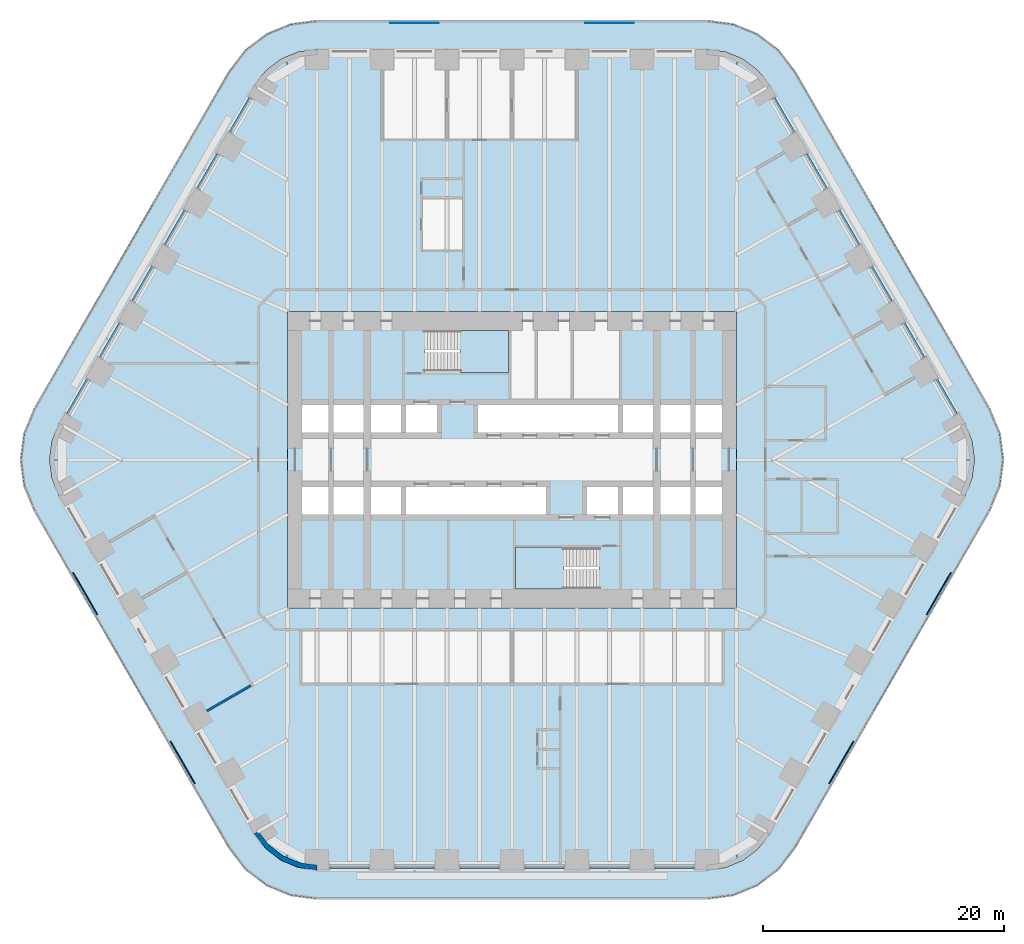
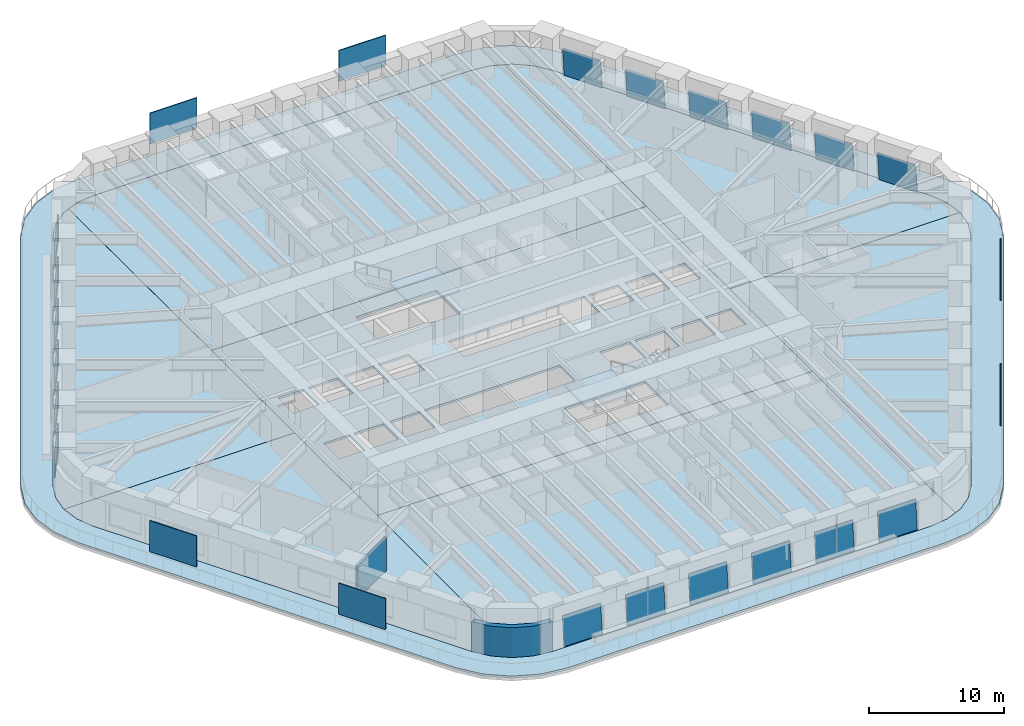
# One storey, part 15 of 24: 24 plates, 10 slabs, 2 walls, 20 elements without a shape of their own.
"""IFC4 building model written with IfcOpenShell, lengths in metres."""

from ifc_helpers import new_model, si_unit, direction, frame, frame_2d, origin, origin_2d, place, context, subcontext, project, spatial, polyline, rectangle, outline, extrude, material, layer, layer_set, type_object, element, aggregate, save


model = new_model("IFC4")

# Units and contexts
model_context = context("Model", 3, precision=1e-05, world=origin(), true_north=direction((0.0, 1.0)))
body_context = subcontext(model_context, "Body", "Model", "MODEL_VIEW")
ifc_project = project(units=[si_unit("LENGTHUNIT", "METRE"), si_unit("AREAUNIT", "SQUARE_METRE"), si_unit("VOLUMEUNIT", "CUBIC_METRE"), si_unit("PLANEANGLEUNIT", "RADIAN"), si_unit("MASSUNIT", "GRAM", prefix="KILO")], contexts=[model_context])

# Site, building, storey
site_placement = place(None, origin())
site = spatial("IfcSite", under=ifc_project, at=site_placement, CompositionType="ELEMENT")
building_placement = place(site_placement, origin())
building = spatial("IfcBuilding", under=site, at=building_placement, Name="Tarfa Lantern Tower", CompositionType="ELEMENT")
storey_placement = place(building_placement, frame((0.0, 0.0, 65.5)))
storey = spatial("IfcBuildingStorey", under=building, at=storey_placement, Name="L14", CompositionType="ELEMENT", Elevation=65.5)

# Slab
ifc_material_1 = material(Name="Concrete C40/50", Category="concrete")
ifc_layer_1 = layer(ifc_material_1, 0.199951171875)
ifc_layer_set_1 = layer_set([ifc_layer_1], Name="BS2 BALCONY SLAB 200")
slab_type_1 = type_object("IfcSlabType", Name="BS2 BALCONY SLAB 200", PredefinedType="FLOOR", material=ifc_layer_set_1)
slab_1_placement = place(storey_placement, frame((0.0, 0.0, -0.199951171875)))
element("IfcSlab", 1, at=slab_1_placement, inside=storey, type_object=slab_type_1, Name="Balcony L14", PredefinedType="FLOOR", context=body_context, shape_type="SweptSolid", body=[
    extrude(outline(polyline([(39.606201171875, 4.199951171875), (23.4404296875, 32.199951171875), (22.10546875, 33.939697265625), (20.36572265625, 35.274658203125), (18.33984375, 36.11376953125), (16.165771484375, 36.39990234375), (-16.165771484375, 36.39990234375), (-18.33984375, 36.11376953125), (-20.36572265625, 35.274658203125), (-22.10546875, 33.939697265625), (-23.4404296875, 32.199951171875), (-39.606201171875, 4.199951171875), (-40.4453125, 2.174072265625), (-40.731689453125, 0.0), (-40.4453125, -2.174072265625), (-39.606201171875, -4.199951171875), (-23.4404296875, -32.199951171875), (-22.10546875, -33.939697265625), (-20.36572265625, -35.274658203125), (-18.33984375, -36.11376953125), (-16.165771484375, -36.39990234375), (16.165771484375, -36.39990234375), (18.33984375, -36.11376953125), (20.36572265625, -35.274658203125), (22.10546875, -33.939697265625), (23.4404296875, -32.199951171875), (39.606201171875, -4.199951171875), (40.4453125, -2.174072265625), (40.731689453125, 0.0), (40.4453125, 2.174072265625), (39.606201171875, 4.199951171875)]), holes=[polyline([(37.52783203125, 3.0), (21.362060546875, 31.0), (20.408447265625, 32.24267578125), (19.165771484375, 33.196044921875), (17.71875, 33.795654296875), (16.165771484375, 34.0), (-16.165771484375, 34.0), (-17.71875, 33.795654296875), (-19.165771484375, 33.196044921875), (-20.408447265625, 32.24267578125), (-21.362060546875, 31.0), (-37.52783203125, 3.0), (-38.127197265625, 1.552978515625), (-38.33154296875, 0.0), (-38.127197265625, -1.552978515625), (-37.52783203125, -3.0), (-21.362060546875, -31.0), (-20.408447265625, -32.24267578125), (-19.165771484375, -33.196044921875), (-17.71875, -33.795654296875), (-16.165771484375, -34.0), (16.165771484375, -34.0), (17.71875, -33.795654296875), (19.165771484375, -33.196044921875), (20.408447265625, -32.24267578125), (21.362060546875, -31.0), (37.52783203125, -3.0), (38.127197265625, -1.552978515625), (38.33154296875, 0.0), (38.127197265625, 1.552978515625), (37.52783203125, 3.0)])]), origin(), (0.0, 0.0, 1.0), 0.199951171875),
])

# Curtain wall, plate
ifc_material_2 = material(Name="Aluminium framed curtain wall", Category="aluminium")
curtain_wall_type = type_object("IfcCurtainWallType", Name="CW1 CANTED GLAZING LOW ZONE 2700", PredefinedType="USERDEFINED", material=ifc_material_2)
curtain_wall_1_placement = place(storey_placement, origin())
curtain_wall_1 = element("IfcCurtainWall", 2, at=curtain_wall_1_placement, inside=storey, type_object=curtain_wall_type, Name="CW1 NE L14", ObjectType="CURTAIN WALL", PredefinedType="USERDEFINED")
ifc_material_3 = material(Name="Laminated double glazing", Category="glass")
ifc_layer_2 = layer(ifc_material_3, 0.028076171875)
ifc_layer_set_2 = layer_set([ifc_layer_2], Name="CWP1 DOUBLE GLAZED PANEL")
plate_type_1 = type_object("IfcPlateType", Name="CWP1 DOUBLE GLAZED PANEL", PredefinedType="CURTAIN_PANEL", material=ifc_layer_set_2)
plate_1_placement = place(storey_placement, frame((36.90869140625, 3.872314453125, 0.0), z_axis=(0.862338266797, 0.497864384763, 0.09221587717), x_axis=(-0.499995082658, 0.86602824279, 2.978908e-06)))
plate_1 = element("IfcPlate", 3, at=plate_1_placement, type_object=plate_type_1, Name="CW1 panel 1.1", PredefinedType="CURTAIN_PANEL", context=body_context, shape_type="SweptSolid", body=[
    extrude(outline(polyline([(0.0, 0.0), (3.258639560562134, 0.0), (3.2585208536427297, 2.646275738901332), (3.3621925729925773e-06, 2.646295235988971), (0.0, 0.0)])), origin(), (0.0, 0.0, -1.0), 0.028076171875),
])
aggregate(curtain_wall_1, [plate_1])

curtain_wall_2_placement = place(storey_placement, origin())
curtain_wall_2 = element("IfcCurtainWall", 4, at=curtain_wall_2_placement, inside=storey, type_object=curtain_wall_type, Name="CW1 NE L14", ObjectType="CURTAIN WALL", PredefinedType="USERDEFINED")
plate_2_placement = place(storey_placement, frame((34.21435546875, 8.5390625, 0.0), z_axis=(0.862325290636, 0.497894194109, 0.092176269198), x_axis=(-0.500022939057, 0.866012159509, 0.0)))
plate_2 = element("IfcPlate", 5, at=plate_2_placement, type_object=plate_type_1, Name="CW1 panel 1.1", PredefinedType="CURTAIN_PANEL", context=body_context, shape_type="SweptSolid", body=[
    extrude(outline(polyline([(0.0, 0.0), (3.2586395622623687, 0.0), (3.2585208519425555, 2.6462757409948594), (-0.0001187103198132533, 2.6462757409948594), (0.0, 0.0)])), origin(), (0.0, 0.0, -1.0), 0.028076171875),
])
aggregate(curtain_wall_2, [plate_2])

curtain_wall_3_placement = place(storey_placement, origin())
curtain_wall_3 = element("IfcCurtainWall", 6, at=curtain_wall_3_placement, inside=storey, type_object=curtain_wall_type, Name="CW1 NE L14", ObjectType="CURTAIN WALL", PredefinedType="USERDEFINED")
plate_3_placement = place(storey_placement, frame((31.52001953125, 13.20556640625, 0.0), z_axis=(0.862341934097, 0.49786650205, 0.092170140692), x_axis=(-0.499994605049, 0.866028518533, -2.977555e-06)))
plate_3 = element("IfcPlate", 7, at=plate_3_placement, type_object=plate_type_1, Name="CW1 panel 1.1", PredefinedType="CURTAIN_PANEL", context=body_context, shape_type="SweptSolid", body=[
    extrude(outline(polyline([(0.0, 0.0), (3.258517491508472, 2.7755575615628914e-17), (3.2587164564684317, 2.646283977845527), (7.689596458644864e-05, 2.6462644896978658), (0.0, 0.0)])), origin(), (0.0, 0.0, -1.0), 0.028076171875),
])
aggregate(curtain_wall_3, [plate_3])

curtain_wall_4_placement = place(storey_placement, origin())
curtain_wall_4 = element("IfcCurtainWall", 8, at=curtain_wall_4_placement, inside=storey, type_object=curtain_wall_type, Name="CW1 NE L14", ObjectType="CURTAIN WALL", PredefinedType="USERDEFINED")
plate_4_placement = place(storey_placement, frame((28.82568359375, 17.872314453125, 0.0), z_axis=(0.862338266797, 0.497864384763, 0.09221587717), x_axis=(-0.499994604812, 0.86602851867, -2.97902e-06)))
plate_4 = element("IfcPlate", 9, at=plate_4_placement, type_object=plate_type_1, Name="CW1 panel 1.1", PredefinedType="CURTAIN_PANEL", context=body_context, shape_type="SweptSolid", body=[
    extrude(outline(polyline([(0.0, 0.0), (3.2585174915084862, -2.7755575615628914e-17), (3.2585050197979823, 2.646295235961718), (-0.000134540705819584, 2.646275738143688), (0.0, 0.0)])), origin(), (0.0, 0.0, -1.0), 0.028076171875),
])
aggregate(curtain_wall_4, [plate_4])

curtain_wall_5_placement = place(storey_placement, origin())
curtain_wall_5 = element("IfcCurtainWall", 10, at=curtain_wall_5_placement, inside=storey, type_object=curtain_wall_type, Name="CW1 NE L14", ObjectType="CURTAIN WALL", PredefinedType="USERDEFINED")
plate_5_placement = place(storey_placement, frame((26.13134765625, 22.5390625, 0.0), z_axis=(0.862338266797, 0.497864384763, 0.09221587717), x_axis=(-0.499994604812, 0.86602851867, -2.97902e-06)))
plate_5 = element("IfcPlate", 11, at=plate_5_placement, type_object=plate_type_1, Name="CW1 panel 1.1", PredefinedType="CURTAIN_PANEL", context=body_context, shape_type="SweptSolid", body=[
    extrude(outline(polyline([(0.0, 0.0), (3.2585174915084862, -2.7755575615628914e-17), (3.2585050197979823, 2.646295235961718), (-0.000134540705819584, 2.646275738143688), (0.0, 0.0)])), origin(), (0.0, 0.0, -1.0), 0.028076171875),
])
aggregate(curtain_wall_5, [plate_5])

curtain_wall_6_placement = place(storey_placement, origin())
curtain_wall_6 = element("IfcCurtainWall", 12, at=curtain_wall_6_placement, inside=storey, type_object=curtain_wall_type, Name="CW1 NE L14", ObjectType="CURTAIN WALL", PredefinedType="USERDEFINED")
plate_6_placement = place(storey_placement, frame((23.437255859375, 27.20556640625, 0.0), z_axis=(0.862341934097, 0.49786650205, 0.092170140692), x_axis=(-0.499995082421, 0.866028242926, 2.977443e-06)))
plate_6 = element("IfcPlate", 13, at=plate_6_placement, type_object=plate_type_1, Name="CW1 panel 1.1", PredefinedType="CURTAIN_PANEL", context=body_context, shape_type="SweptSolid", body=[
    extrude(outline(polyline([(0.0, 0.0), (3.2586395605621195, -2.7755575615628914e-17), (3.2587322823927347, 2.64626448919067), (0.0002147909425344405, 2.6462839766083026), (0.0, 0.0)])), origin(), (0.0, 0.0, -1.0), 0.028076171875),
])
aggregate(curtain_wall_6, [plate_6])

curtain_wall_7_placement = place(storey_placement, origin())
curtain_wall_7 = element("IfcCurtainWall", 14, at=curtain_wall_7_placement, inside=storey, type_object=curtain_wall_type, Name="CW1 NW L14", ObjectType="CURTAIN WALL", PredefinedType="USERDEFINED")
plate_7_placement = place(storey_placement, frame((-21.807861328125, 30.027587890625, 0.0), z_axis=(-0.862341934097, 0.49786650205, 0.092170140692), x_axis=(-0.499995082421, -0.866028242926, -2.977443e-06)))
plate_7 = element("IfcPlate", 15, at=plate_7_placement, type_object=plate_type_1, Name="CW1 panel 1.1", PredefinedType="CURTAIN_PANEL", context=body_context, shape_type="SweptSolid", body=[
    extrude(outline(polyline([(0.0, 0.0), (3.2586395605621195, 2.7755575615628914e-17), (3.2584247696195847, 2.6462839766083026), (-9.272183061532521e-05, 2.64626448919067), (0.0, 0.0)])), origin(), (0.0, 0.0, -1.0), 0.028076171875),
])
aggregate(curtain_wall_7, [plate_7])

curtain_wall_8_placement = place(storey_placement, origin())
curtain_wall_8 = element("IfcCurtainWall", 16, at=curtain_wall_8_placement, inside=storey, type_object=curtain_wall_type, Name="CW1 NW L14", ObjectType="CURTAIN WALL", PredefinedType="USERDEFINED")
plate_8_placement = place(storey_placement, frame((-24.502197265625, 25.361083984375, 0.0), z_axis=(-0.862338266797, 0.497864384763, 0.09221587717), x_axis=(-0.499994604812, -0.86602851867, 2.97902e-06)))
plate_8 = element("IfcPlate", 17, at=plate_8_placement, type_object=plate_type_1, Name="CW1 panel 1.1", PredefinedType="CURTAIN_PANEL", context=body_context, shape_type="SweptSolid", body=[
    extrude(outline(polyline([(0.0, 0.0), (3.2585174915084862, 2.7755575615628914e-17), (3.2586520322143055, 2.646275738143688), (1.2471710504126e-05, 2.646295235961718), (0.0, 0.0)])), origin(), (0.0, 0.0, -1.0), 0.028076171875),
])
aggregate(curtain_wall_8, [plate_8])

curtain_wall_9_placement = place(storey_placement, origin())
curtain_wall_9 = element("IfcCurtainWall", 18, at=curtain_wall_9_placement, inside=storey, type_object=curtain_wall_type, Name="CW1 NW L14", ObjectType="CURTAIN WALL", PredefinedType="USERDEFINED")
plate_9_placement = place(storey_placement, frame((-27.196533203125, 20.6943359375, 0.0), z_axis=(-0.862338266797, 0.497864384763, 0.09221587717), x_axis=(-0.499994604812, -0.86602851867, 2.97902e-06)))
plate_9 = element("IfcPlate", 19, at=plate_9_placement, type_object=plate_type_1, Name="CW1 panel 1.1", PredefinedType="CURTAIN_PANEL", context=body_context, shape_type="SweptSolid", body=[
    extrude(outline(polyline([(0.0, 0.0), (3.2585174915084862, 2.7755575615628914e-17), (3.2586520322143055, 2.646275738143688), (1.2471710504126e-05, 2.646295235961718), (0.0, 0.0)])), origin(), (0.0, 0.0, -1.0), 0.028076171875),
])
aggregate(curtain_wall_9, [plate_9])

curtain_wall_10_placement = place(storey_placement, origin())
curtain_wall_10 = element("IfcCurtainWall", 20, at=curtain_wall_10_placement, inside=storey, type_object=curtain_wall_type, Name="CW1 NW L14", ObjectType="CURTAIN WALL", PredefinedType="USERDEFINED")
plate_10_placement = place(storey_placement, frame((-29.890869140625, 16.027587890625, 0.0), z_axis=(-0.862341934097, 0.49786650205, 0.092170140692), x_axis=(-0.499994605049, -0.866028518533, 2.977555e-06)))
plate_10 = element("IfcPlate", 21, at=plate_10_placement, type_object=plate_type_1, Name="CW1 panel 1.1", PredefinedType="CURTAIN_PANEL", context=body_context, shape_type="SweptSolid", body=[
    extrude(outline(polyline([(0.0, 0.0), (3.258517491508472, -2.7755575615628914e-17), (3.258440595543886, 2.6462644896978658), (-0.00019896495995976314, 2.646283977845527), (0.0, 0.0)])), origin(), (0.0, 0.0, -1.0), 0.028076171875),
])
aggregate(curtain_wall_10, [plate_10])

curtain_wall_11_placement = place(storey_placement, origin())
curtain_wall_11 = element("IfcCurtainWall", 22, at=curtain_wall_11_placement, inside=storey, type_object=curtain_wall_type, Name="CW1 NW L14", ObjectType="CURTAIN WALL", PredefinedType="USERDEFINED")
plate_11_placement = place(storey_placement, frame((-32.5849609375, 11.361083984375, 0.0), z_axis=(-0.862325290636, 0.497894194109, 0.092176269198), x_axis=(-0.500022939057, -0.866012159509, 0.0)))
plate_11 = element("IfcPlate", 23, at=plate_11_placement, type_object=plate_type_1, Name="CW1 panel 1.1", PredefinedType="CURTAIN_PANEL", context=body_context, shape_type="SweptSolid", body=[
    extrude(outline(polyline([(0.0, 0.0), (3.2586395622623687, 0.0), (3.258758272582182, 2.6462757409948594), (0.0001187103198132533, 2.6462757409948594), (0.0, 0.0)])), origin(), (0.0, 0.0, -1.0), 0.028076171875),
])
aggregate(curtain_wall_11, [plate_11])

curtain_wall_12_placement = place(storey_placement, origin())
curtain_wall_12 = element("IfcCurtainWall", 24, at=curtain_wall_12_placement, inside=storey, type_object=curtain_wall_type, Name="CW1 NW L14", ObjectType="CURTAIN WALL", PredefinedType="USERDEFINED")
plate_12_placement = place(storey_placement, frame((-35.279296875, 6.6943359375, 0.0), z_axis=(-0.862338266797, 0.497864384763, 0.09221587717), x_axis=(-0.499995082658, -0.86602824279, -2.978908e-06)))
plate_12 = element("IfcPlate", 25, at=plate_12_placement, type_object=plate_type_1, Name="CW1 panel 1.1", PredefinedType="CURTAIN_PANEL", context=body_context, shape_type="SweptSolid", body=[
    extrude(outline(polyline([(0.0, 0.0), (3.258639560562134, 0.0), (3.258636198369561, 2.646295235988971), (0.00011870691940396534, 2.646275738901332), (0.0, 0.0)])), origin(), (0.0, 0.0, -1.0), 0.028076171875),
])
aggregate(curtain_wall_12, [plate_12])

curtain_wall_13_placement = place(storey_placement, origin())
curtain_wall_13 = element("IfcCurtainWall", 26, at=curtain_wall_13_placement, inside=storey, type_object=curtain_wall_type, Name="CW1 S L14", ObjectType="CURTAIN WALL", PredefinedType="USERDEFINED")
plate_13_placement = place(storey_placement, frame((-15.100830078125, -33.89990234375, 0.0), z_axis=(0.0, -0.995743653657, 0.092166025202), x_axis=(1.0, 0.0, 0.0)))
plate_13 = element("IfcPlate", 27, at=plate_13_placement, type_object=plate_type_1, Name="CW1 panel 1.1", PredefinedType="CURTAIN_PANEL", context=body_context, shape_type="SweptSolid", body=[
    extrude(outline(polyline([(0.0, 0.0), (3.258544921875, 0.0), (3.258544921875, 2.6462732209712594), (0.0, 2.6462732209712594), (0.0, 0.0)])), origin(), (0.0, 0.0, -1.0), 0.028076171875),
])
aggregate(curtain_wall_13, [plate_13])

curtain_wall_14_placement = place(storey_placement, origin())
curtain_wall_14 = element("IfcCurtainWall", 28, at=curtain_wall_14_placement, inside=storey, type_object=curtain_wall_type, Name="CW1 S L14", ObjectType="CURTAIN WALL", PredefinedType="USERDEFINED")
plate_14_placement = place(storey_placement, frame((-9.712158203125, -33.89990234375, 0.0), z_axis=(0.0, -0.995743653657, 0.092166025202), x_axis=(1.0, 0.0, 0.0)))
plate_14 = element("IfcPlate", 29, at=plate_14_placement, type_object=plate_type_1, Name="CW1 panel 1.1", PredefinedType="CURTAIN_PANEL", context=body_context, shape_type="SweptSolid", body=[
    extrude(outline(polyline([(0.0, 0.0), (3.258544921875, 0.0), (3.258544921875, 2.6462732209712594), (0.0, 2.6462732209712594), (0.0, 0.0)])), origin(), (0.0, 0.0, -1.0), 0.028076171875),
])
aggregate(curtain_wall_14, [plate_14])

curtain_wall_15_placement = place(storey_placement, origin())
curtain_wall_15 = element("IfcCurtainWall", 30, at=curtain_wall_15_placement, inside=storey, type_object=curtain_wall_type, Name="CW1 S L14", ObjectType="CURTAIN WALL", PredefinedType="USERDEFINED")
plate_15_placement = place(storey_placement, frame((-4.323486328125, -33.89990234375, 0.0), z_axis=(0.0, -0.995743653657, 0.092166025202), x_axis=(1.0, 0.0, 0.0)))
plate_15 = element("IfcPlate", 31, at=plate_15_placement, type_object=plate_type_1, Name="CW1 panel 1.1", PredefinedType="CURTAIN_PANEL", context=body_context, shape_type="SweptSolid", body=[
    extrude(outline(polyline([(0.0, 0.0), (3.258544921875, 0.0), (3.258544921875, 2.6462732209712594), (0.0, 2.6462732209712594), (0.0, 0.0)])), origin(), (0.0, 0.0, -1.0), 0.028076171875),
])
aggregate(curtain_wall_15, [plate_15])

curtain_wall_16_placement = place(storey_placement, origin())
curtain_wall_16 = element("IfcCurtainWall", 32, at=curtain_wall_16_placement, inside=storey, type_object=curtain_wall_type, Name="CW1 S L14", ObjectType="CURTAIN WALL", PredefinedType="USERDEFINED")
plate_16_placement = place(storey_placement, frame((1.06494140625, -33.89990234375, 0.0), z_axis=(0.0, -0.995743653657, 0.092166025202), x_axis=(1.0, 0.0, 0.0)))
plate_16 = element("IfcPlate", 33, at=plate_16_placement, type_object=plate_type_1, Name="CW1 panel 1.1", PredefinedType="CURTAIN_PANEL", context=body_context, shape_type="SweptSolid", body=[
    extrude(outline(polyline([(0.0, 0.0), (3.258544921875, 0.0), (3.258544921875, 2.6462732209712594), (0.0, 2.6462732209712594), (0.0, 0.0)])), origin(), (0.0, 0.0, -1.0), 0.028076171875),
])
aggregate(curtain_wall_16, [plate_16])

curtain_wall_17_placement = place(storey_placement, origin())
curtain_wall_17 = element("IfcCurtainWall", 34, at=curtain_wall_17_placement, inside=storey, type_object=curtain_wall_type, Name="CW1 S L14", ObjectType="CURTAIN WALL", PredefinedType="USERDEFINED")
plate_17_placement = place(storey_placement, frame((6.45361328125, -33.89990234375, 0.0), z_axis=(0.0, -0.995743653657, 0.092166025202), x_axis=(1.0, 0.0, 0.0)))
plate_17 = element("IfcPlate", 35, at=plate_17_placement, type_object=plate_type_1, Name="CW1 panel 1.1", PredefinedType="CURTAIN_PANEL", context=body_context, shape_type="SweptSolid", body=[
    extrude(outline(polyline([(0.0, 0.0), (3.258544921875, 0.0), (3.258544921875, 2.6462732209712594), (0.0, 2.6462732209712594), (0.0, 0.0)])), origin(), (0.0, 0.0, -1.0), 0.028076171875),
])
aggregate(curtain_wall_17, [plate_17])

curtain_wall_18_placement = place(storey_placement, origin())
curtain_wall_18 = element("IfcCurtainWall", 36, at=curtain_wall_18_placement, inside=storey, type_object=curtain_wall_type, Name="CW1 S L14", ObjectType="CURTAIN WALL", PredefinedType="USERDEFINED")
plate_18_placement = place(storey_placement, frame((11.84228515625, -33.89990234375, 0.0), z_axis=(0.0, -0.995743653657, 0.092166025202), x_axis=(1.0, 0.0, 0.0)))
plate_18 = element("IfcPlate", 37, at=plate_18_placement, type_object=plate_type_1, Name="CW1 panel 1.1", PredefinedType="CURTAIN_PANEL", context=body_context, shape_type="SweptSolid", body=[
    extrude(outline(polyline([(0.0, 0.0), (3.258544921875, 0.0), (3.258544921875, 2.6462732209712594), (0.0, 2.6462732209712594), (0.0, 0.0)])), origin(), (0.0, 0.0, -1.0), 0.028076171875),
])
aggregate(curtain_wall_18, [plate_18])

# Slabs
ifc_layer_3 = layer(ifc_material_1, 0.199951171875)
ifc_layer_set_3 = layer_set([ifc_layer_3], Name="FS1 FLOOR SLAB 200")
slab_type_2 = type_object("IfcSlabType", Name="FS1 FLOOR SLAB 200", PredefinedType="FLOOR", material=ifc_layer_set_3)
slab_2_placement = place(storey_placement, frame((0.0, 0.0, -0.199951171875)))
element("IfcSlab", 38, at=slab_2_placement, inside=storey, type_object=slab_type_2, Name="Floor slab L14", PredefinedType="FLOOR", context=body_context, shape_type="SweptSolid", body=[
    extrude(outline(polyline([(-18.60009765625, -12.300048828125), (18.60009765625, -12.300048828125), (18.60009765625, 12.300048828125), (-18.60009765625, 12.300048828125), (-18.60009765625, -12.300048828125)]), holes=[polyline([(-17.39990234375, 2.25), (-15.199951171875, 2.25), (-15.199951171875, 4.550048828125), (-17.39990234375, 4.550048828125), (-17.39990234375, 2.25)]), polyline([(-14.800048828125, 2.25), (-12.300048828125, 2.25), (-12.300048828125, 4.550048828125), (-14.800048828125, 4.550048828125), (-14.800048828125, 2.25)]), polyline([(-11.699951171875, 2.25), (-9.199951171875, 2.25), (-9.199951171875, 4.550048828125), (-11.699951171875, 4.550048828125), (-11.699951171875, 2.25)]), polyline([(-8.800048828125, 2.25), (-6.199951171875, 2.25), (-6.199951171875, 4.550048828125), (-8.800048828125, 4.550048828125), (-8.800048828125, 2.25)]), polyline([(-2.800048828125, 2.25), (8.800048828125, 2.25), (8.800048828125, 4.550048828125), (-2.800048828125, 4.550048828125), (-2.800048828125, 2.25)]), polyline([(9.199951171875, 2.25), (11.699951171875, 2.25), (11.699951171875, 4.550048828125), (9.199951171875, 4.550048828125), (9.199951171875, 2.25)]), polyline([(12.300048828125, 2.25), (14.800048828125, 2.25), (14.800048828125, 4.550048828125), (12.300048828125, 4.550048828125), (12.300048828125, 2.25)]), polyline([(15.199951171875, 2.25), (17.39990234375, 2.25), (17.39990234375, 4.550048828125), (15.199951171875, 4.550048828125), (15.199951171875, 2.25)]), polyline([(17.39990234375, -2.25), (15.199951171875, -2.25), (15.199951171875, -4.550048828125), (17.39990234375, -4.550048828125), (17.39990234375, -2.25)]), polyline([(14.800048828125, -2.25), (12.300048828125, -2.25), (12.300048828125, -4.550048828125), (14.800048828125, -4.550048828125), (14.800048828125, -2.25)]), polyline([(11.699951171875, -2.25), (9.199951171875, -2.25), (9.199951171875, -4.550048828125), (11.699951171875, -4.550048828125), (11.699951171875, -2.25)]), polyline([(8.800048828125, -2.25), (6.199951171875, -2.25), (6.199951171875, -4.550048828125), (8.800048828125, -4.550048828125), (8.800048828125, -2.25)]), polyline([(2.800048828125, -2.25), (-8.800048828125, -2.25), (-8.800048828125, -4.550048828125), (2.800048828125, -4.550048828125), (2.800048828125, -2.25)]), polyline([(-9.199951171875, -2.25), (-11.699951171875, -2.25), (-11.699951171875, -4.550048828125), (-9.199951171875, -4.550048828125), (-9.199951171875, -2.25)]), polyline([(-12.300048828125, -2.25), (-14.800048828125, -2.25), (-14.800048828125, -4.550048828125), (-12.300048828125, -4.550048828125), (-12.300048828125, -2.25)]), polyline([(-15.199951171875, -2.25), (-17.39990234375, -2.25), (-17.39990234375, -4.550048828125), (-15.199951171875, -4.550048828125), (-15.199951171875, -2.25)]), polyline([(-7.199951171875, 7.25), (-0.300048828125, 7.25), (-0.300048828125, 10.699951171875), (-7.199951171875, 10.699951171875), (-7.199951171875, 7.25)]), polyline([(7.199951171875, -7.25), (0.300048828125, -7.25), (0.300048828125, -10.699951171875), (7.199951171875, -10.699951171875), (7.199951171875, -7.25)])]), origin(), (0.0, 0.0, 1.0), 0.199951171875),
])
slab_3_placement = place(storey_placement, frame((0.0, 0.0, -0.199951171875)))
element("IfcSlab", 39, at=slab_3_placement, inside=storey, type_object=slab_type_2, Name="Floor slab L14 NE bay", PredefinedType="FLOOR", context=body_context, shape_type="SweptSolid", body=[
    extrude(outline(polyline([(37.52587890625, 2.9990234375), (21.3603515625, 30.998779296875), (20.406982421875, 32.2412109375), (19.164794921875, 33.1943359375), (18.64697265625, 33.408935546875), (18.60205078125, 12.300048828125), (18.60205078125, 0.001953125), (38.329345703125, 0.001953125), (38.125244140625, 1.552490234375), (37.52587890625, 2.9990234375)])), origin(), (0.0, 0.0, 1.0), 0.199951171875),
])
slab_4_placement = place(storey_placement, frame((0.0, 0.0, -0.199951171875)))
element("IfcSlab", 40, at=slab_4_placement, inside=storey, type_object=slab_type_2, Name="Floor slab L14 N bay", PredefinedType="FLOOR", context=body_context, shape_type="SweptSolid", body=[
    extrude(outline(polyline([(-18.597900390625, 12.302001953125), (18.597900390625, 12.302001953125), (18.64306640625, 33.41064453125), (17.71826171875, 33.793701171875), (16.165771484375, 33.998046875), (-16.165771484375, 33.998046875), (-17.71826171875, 33.793701171875), (-18.64306640625, 33.41064453125), (-18.597900390625, 12.302001953125)])), origin(), (0.0, 0.0, 1.0), 0.199951171875),
])
slab_5_placement = place(storey_placement, frame((0.0, 0.0, -0.199951171875)))
element("IfcSlab", 41, at=slab_5_placement, inside=storey, type_object=slab_type_2, Name="Floor slab L14 NW bay", PredefinedType="FLOOR", context=body_context, shape_type="SweptSolid", body=[
    extrude(outline(polyline([(-18.60205078125, 0.001953125), (-18.60205078125, 12.300048828125), (-18.64697265625, 33.408935546875), (-19.164794921875, 33.1943359375), (-20.406982421875, 32.2412109375), (-21.3603515625, 30.998779296875), (-37.52587890625, 2.9990234375), (-38.125244140625, 1.552490234375), (-38.329345703125, 0.001953125), (-18.60205078125, 0.001953125)])), origin(), (0.0, 0.0, 1.0), 0.199951171875),
])
slab_6_placement = place(storey_placement, frame((0.0, 0.0, -0.199951171875)))
element("IfcSlab", 42, at=slab_6_placement, inside=storey, type_object=slab_type_2, Name="Floor slab L14 SW bay", PredefinedType="FLOOR", context=body_context, shape_type="SweptSolid", body=[
    extrude(outline(polyline([(-18.60205078125, -12.300048828125), (-18.60205078125, -0.001953125), (-38.329345703125, -0.001953125), (-38.125244140625, -1.552490234375), (-37.52587890625, -2.9990234375), (-21.3603515625, -30.998779296875), (-20.406982421875, -32.2412109375), (-19.164794921875, -33.1943359375), (-18.64697265625, -33.408935546875), (-18.60205078125, -12.300048828125)])), origin(), (0.0, 0.0, 1.0), 0.199951171875),
])
slab_7_placement = place(storey_placement, frame((0.0, 0.0, -0.199951171875)))
element("IfcSlab", 43, at=slab_7_placement, inside=storey, type_object=slab_type_2, Name="Floor slab L14 S bay", PredefinedType="FLOOR", context=body_context, shape_type="SweptSolid", body=[
    extrude(outline(polyline([(18.597900390625, -12.302001953125), (-18.597900390625, -12.302001953125), (-18.64306640625, -33.41064453125), (-17.71826171875, -33.793701171875), (-16.165771484375, -33.998046875), (16.165771484375, -33.998046875), (17.71826171875, -33.793701171875), (18.64306640625, -33.41064453125), (18.597900390625, -12.302001953125)])), origin(), (0.0, 0.0, 1.0), 0.199951171875),
])
slab_8_placement = place(storey_placement, frame((0.0, 0.0, -0.199951171875)))
element("IfcSlab", 44, at=slab_8_placement, inside=storey, type_object=slab_type_2, Name="Floor slab L14 SE bay", PredefinedType="FLOOR", context=body_context, shape_type="SweptSolid", body=[
    extrude(outline(polyline([(18.60205078125, -0.001953125), (18.60205078125, -12.300048828125), (18.64697265625, -33.408935546875), (19.164794921875, -33.1943359375), (20.406982421875, -32.2412109375), (21.3603515625, -30.998779296875), (37.52587890625, -2.9990234375), (38.125244140625, -1.552490234375), (38.329345703125, -0.001953125), (18.60205078125, -0.001953125)])), origin(), (0.0, 0.0, 1.0), 0.199951171875),
])

# Plates
ifc_material_4 = material(Name="Perforated limestone screen", Category="masonry")
ifc_layer_4 = layer(ifc_material_4, 0.080078125)
ifc_layer_set_4 = layer_set([ifc_layer_4], Name="SC1 STONE SCREEN 80")
plate_type_2 = type_object("IfcPlateType", Name="SC1 STONE SCREEN 80", PredefinedType="USERDEFINED", material=ifc_layer_set_4)
for number, where, z_axis, x_axis, name in (
    (45, (8.0830078125, 36.199951171875, 1.2001953125), (0.0, 0.0, 1.0), (-1.0, 0.0, 0.0), "Stone screen N 1"),
    (46, (-8.0830078125, 36.199951171875, 1.2001953125), (0.0, 0.0, 1.0), (-1.0, 0.0, 0.0), "Stone screen N 2"),
    (47, (-35.3916015625, -11.10009765625, 1.2001953125), (0.0, 0.0, 1.0), (0.5, -0.866025403784, 0.0), "Stone screen SW 1"),
    (48, (-27.30859375, -25.10009765625, 1.2001953125), (0.0, 0.0, 1.0), (0.5, -0.866025403784, 0.0), "Stone screen SW 2"),
    (49, (27.30859375, -25.10009765625, 1.2001953125), (0.0, 0.0, 1.0), (0.5, 0.866025403784, 0.0), "Stone screen SE 1"),
    (50, (35.3916015625, -11.10009765625, 1.2001953125), (0.0, 0.0, 1.0), (0.5, 0.866025403784, 0.0), "Stone screen SE 2"),
):
    element("IfcPlate", number, at=place(storey_placement, frame(where, z_axis=z_axis, x_axis=x_axis)), inside=storey, type_object=plate_type_2, Name=name, ObjectType="SCREEN", PredefinedType="USERDEFINED", context=body_context, shape_type="SweptSolid", body=[
        extrude(rectangle(XDim=4.0, YDim=0.080078125, at=origin_2d()), origin(), (0.0, 0.0, 1.0), 2.800048828125),
    ])

# Stair, slab
stair_type = type_object("IfcStairType", Name="ST-T10 HALF-TURN STAIR 4200 RISE", PredefinedType="HALF_TURN_STAIR", material=ifc_material_1)
stair_1_placement = place(storey_placement, origin())
stair_1 = element("IfcStair", 51, at=stair_1_placement, inside=storey, type_object=stair_type, Name="Stair ST1", PredefinedType="HALF_TURN_STAIR")
ifc_layer_5 = layer(ifc_material_1, 0.199951171875)
ifc_layer_set_5 = layer_set([ifc_layer_5], Name="SL1 STAIR LANDING 200")
slab_type_3 = type_object("IfcSlabType", Name="SL1 STAIR LANDING 200", PredefinedType="LANDING", material=ifc_layer_set_5)
slab_9_placement = place(storey_placement, frame((0.0, 0.0, 1.89990234375)))
slab_9 = element("IfcSlab", 52, at=slab_9_placement, type_object=slab_type_3, Name="ST1 landing 1", PredefinedType="LANDING", context=body_context, shape_type="SweptSolid", body=[
    extrude(outline(polyline([(-4.320068359375, 7.25), (-0.300048828125, 7.25), (-0.300048828125, 10.699951171875), (-4.320068359375, 10.699951171875), (-4.320068359375, 7.25)])), origin(), (0.0, 0.0, 1.0), 0.2001953125),
])
aggregate(stair_1, [slab_9])

stair_2_placement = place(storey_placement, origin())
stair_2 = element("IfcStair", 53, at=stair_2_placement, inside=storey, type_object=stair_type, Name="Stair ST2", PredefinedType="HALF_TURN_STAIR")
slab_10_placement = place(storey_placement, frame((0.0, 0.0, 1.89990234375)))
slab_10 = element("IfcSlab", 54, at=slab_10_placement, type_object=slab_type_3, Name="ST2 landing 1", PredefinedType="LANDING", context=body_context, shape_type="SweptSolid", body=[
    extrude(outline(polyline([(4.320068359375, -7.25), (0.300048828125, -7.25), (0.300048828125, -10.699951171875), (4.320068359375, -10.699951171875), (4.320068359375, -7.25)])), origin(), (0.0, 0.0, 1.0), 0.2001953125),
])
aggregate(stair_2, [slab_10])

# Walls
ifc_material_5 = material(Name="Limestone cladding on blockwork", Category="masonry")
ifc_layer_6 = layer(ifc_material_5, 0.39990234375)
ifc_layer_set_6 = layer_set([ifc_layer_6], Name="EW2 CURVED STONE CORNER 400")
wall_type_1 = type_object("IfcWallType", Name="EW2 CURVED STONE CORNER 400", PredefinedType="SOLIDWALL", material=ifc_layer_set_6)
wall_1_placement = place(storey_placement, origin())
element("IfcWall", 55, at=wall_1_placement, inside=storey, type_object=wall_type_1, Name="Stone corner SW-S", PredefinedType="SOLIDWALL", context=body_context, shape_type="SweptSolid", body=[
    extrude(outline(polyline([(-21.362060546875, -31.0), (-20.408447265625, -32.24267578125), (-19.165771484375, -33.196044921875), (-17.71875, -33.795654296875), (-16.165771484375, -34.0), (-16.165771484375, -33.60009765625), (-17.615234375, -33.4091796875), (-18.9658203125, -32.849853515625), (-20.12548828125, -31.959716796875), (-21.015625, -30.800048828125), (-21.362060546875, -31.0)])), origin(), (0.0, 0.0, 1.0), 2.699951171875),
])
ifc_material_6 = material(Name="Gypsum board on steel studs", Category="steel")
ifc_layer_7 = layer(ifc_material_6, 0.2099609375)
ifc_layer_set_7 = layer_set([ifc_layer_7], Name="IW2 ACOUSTIC PARTITION 200")
wall_type_2 = type_object("IfcWallType", Name="IW2 ACOUSTIC PARTITION 200", PredefinedType="PARTITIONING", material=ifc_layer_set_7)
wall_2_placement = place(storey_placement, frame((-21.64111328125, -18.716552734375, 0.0), z_axis=(0.0, 0.0, 1.0), x_axis=(-0.866009402589, -0.500027713859, 0.0)))
element("IfcWall", 56, at=wall_2_placement, inside=storey, type_object=wall_type_2, Name="Partition", PredefinedType="PARTITIONING", context=body_context, shape_type="SweptSolid", body=[
    extrude(rectangle(XDim=4.199951171875, YDim=0.199951171875, at=frame_2d((2.10009765625, 0.0))), origin(), (0.0, 0.0, 1.0), 2.991943359375),
])

save(model, "model.ifc")
